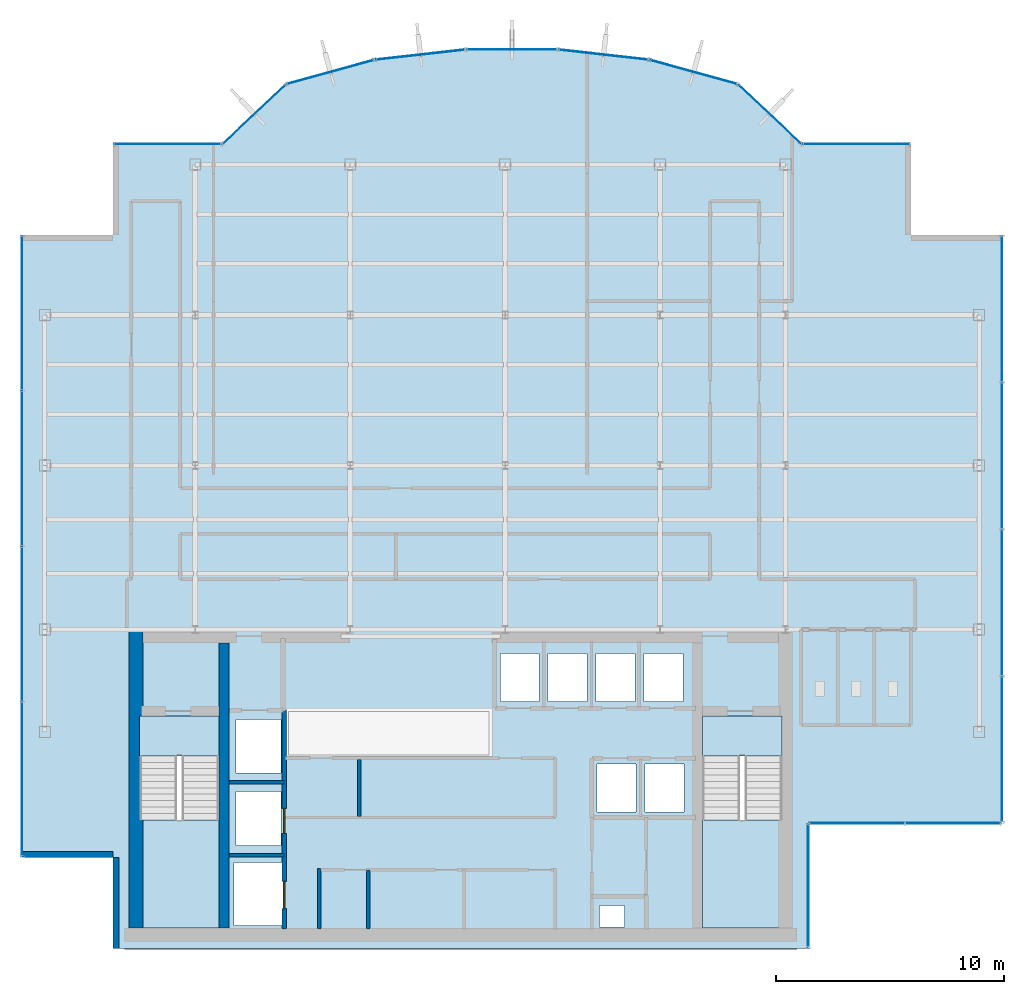
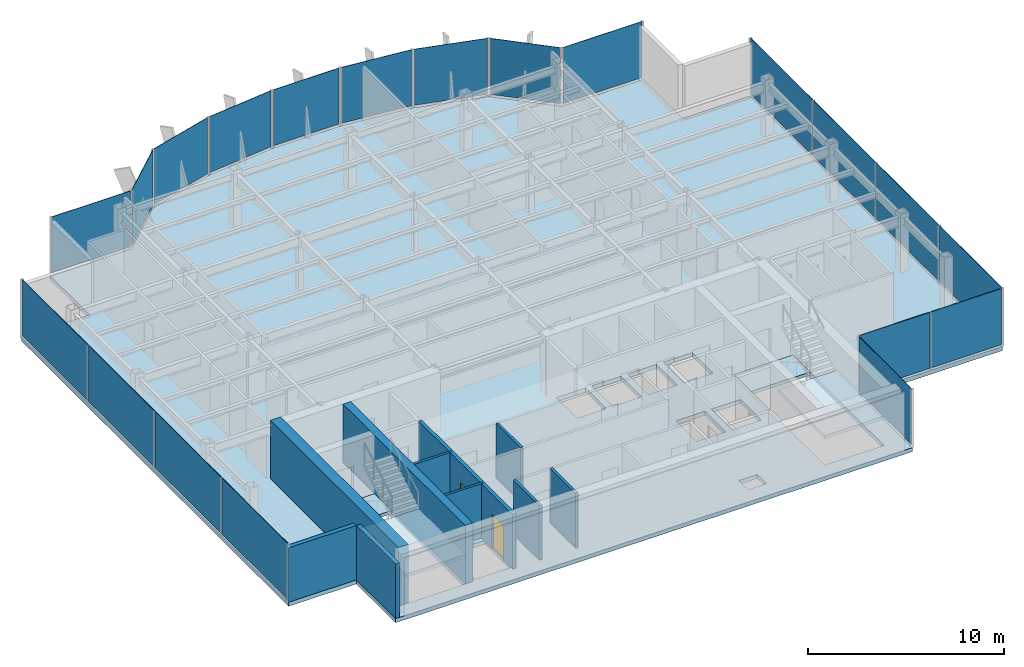
# One storey, part 16 of 22: 20 plates, 10 walls, 5 slabs, 2 doors, 2 openings, 15 elements without a shape of their own.
"""IFC4 building model written with IfcOpenShell, lengths in metres."""

from ifc_helpers import new_model, si_unit, derived_unit, direction, frame, frame_2d, origin, origin_2d, place, context, subcontext, project, spatial, polyline, rectangle, outline, extrude, source, transform, mapped, material, layer, layer_set, type_object, element, fill, aggregate, save


model = new_model("IFC4")

# Units and contexts
model_context = context("Model", 3, precision=1e-05, world=origin(), true_north=direction((0.0, 1.0)))
body_context = subcontext(model_context, "Body", "Model", "MODEL_VIEW")
ifc_project = project(units=[si_unit("LENGTHUNIT", "METRE"), si_unit("AREAUNIT", "SQUARE_METRE"), si_unit("VOLUMEUNIT", "CUBIC_METRE"), si_unit("PLANEANGLEUNIT", "RADIAN"), si_unit("MASSUNIT", "GRAM", prefix="KILO"), derived_unit("THERMALTRANSMITTANCEUNIT", [(si_unit("POWERUNIT", "WATT"), 1), (si_unit("LENGTHUNIT", "METRE"), -2), (si_unit("THERMODYNAMICTEMPERATUREUNIT", "KELVIN"), -1)])], contexts=[model_context])

# Site, building, storey
site_placement = place(None, origin())
site = spatial("IfcSite", under=ifc_project, at=site_placement, CompositionType="ELEMENT")
building_placement = place(site_placement, origin())
building = spatial("IfcBuilding", under=site, at=building_placement, Name="Skarnbrae Concourse Arena and Tower", CompositionType="ELEMENT")
storey_placement = place(building_placement, frame((0.0, 0.0, 240.550048828125)))
storey = spatial("IfcBuildingStorey", under=building, at=storey_placement, Name="L62", CompositionType="ELEMENT", Elevation=240.550048828125)

# Stair, slab
ifc_material_1 = material(Name="Concrete 40 MPa (C40/50)", Category="concrete")
stair_type = type_object("IfcStairType", Name="STAIR-DOGLEG-1650", PredefinedType="HALF_TURN_STAIR", material=ifc_material_1)
stair_1_placement = place(storey_placement, origin())
stair_1 = element("IfcStair", 1, at=stair_1_placement, inside=storey, type_object=stair_type, Name="L62 Protected Exit Stair ST-1", PredefinedType="HALF_TURN_STAIR")
ifc_layer_1 = layer(ifc_material_1, 0.199951171875)
ifc_layer_set_1 = layer_set([ifc_layer_1], Name="Concrete 40 MPa (C40/50)")
slab_type_1 = type_object("IfcSlabType", Name="SLAB-LANDING-200", PredefinedType="LANDING", material=ifc_layer_set_1)
slab_1_placement = place(storey_placement, frame((0.0, 0.0, 1.625)))
slab_1 = element("IfcSlab", 2, at=slab_1_placement, type_object=slab_type_1, Name="ST-1 landing 1", PredefinedType="LANDING", context=body_context, shape_type="SweptSolid", body=[
    extrude(outline(polyline([(5.14990234375, 5.64990234375), (5.14990234375, 0.89990234375), (8.64990234375, 0.89990234375), (8.64990234375, 5.64990234375), (5.14990234375, 5.64990234375)])), origin(), (0.0, 0.0, 1.0), 0.199951171875),
])
aggregate(stair_1, [slab_1])

stair_2_placement = place(storey_placement, origin())
stair_2 = element("IfcStair", 3, at=stair_2_placement, inside=storey, type_object=stair_type, Name="L62 Protected Exit Stair ST-2", PredefinedType="HALF_TURN_STAIR")
slab_2_placement = place(storey_placement, frame((0.0, 0.0, 1.625)))
slab_2 = element("IfcSlab", 4, at=slab_2_placement, type_object=slab_type_1, Name="ST-2 landing 1", PredefinedType="LANDING", context=body_context, shape_type="SweptSolid", body=[
    extrude(outline(polyline([(29.85009765625, 5.64990234375), (29.85009765625, 0.89990234375), (33.35009765625, 0.89990234375), (33.35009765625, 5.64990234375), (29.85009765625, 5.64990234375)])), origin(), (0.0, 0.0, 1.0), 0.199951171875),
])
aggregate(stair_2, [slab_2])

# Slabs
slab_3_placement = place(storey_placement, frame((0.0, 0.0, -0.199951171875)))
element("IfcSlab", 5, at=slab_3_placement, inside=storey, type_object=slab_type_1, Name="L62 Core stair ST1 floor landing", PredefinedType="LANDING", context=body_context, shape_type="SweptSolid", body=[
    extrude(outline(polyline([(5.14990234375, 10.199951171875), (5.14990234375, 8.449951171875), (8.64990234375, 8.449951171875), (8.64990234375, 10.199951171875), (5.14990234375, 10.199951171875)])), origin(), (0.0, 0.0, 1.0), 0.199951171875),
])
slab_4_placement = place(storey_placement, frame((0.0, 0.0, -0.199951171875)))
element("IfcSlab", 6, at=slab_4_placement, inside=storey, type_object=slab_type_1, Name="L62 Core stair ST2 floor landing", PredefinedType="LANDING", context=body_context, shape_type="SweptSolid", body=[
    extrude(outline(polyline([(29.85009765625, 10.199951171875), (29.85009765625, 8.449951171875), (33.35009765625, 8.449951171875), (33.35009765625, 10.199951171875), (29.85009765625, 10.199951171875)])), origin(), (0.0, 0.0, 1.0), 0.199951171875),
])
ifc_layer_2 = layer(ifc_material_1, 0.25)
ifc_layer_set_2 = layer_set([ifc_layer_2], Name="Concrete 40 MPa (C40/50)")
slab_type_2 = type_object("IfcSlabType", Name="SLAB-TOWER-250", PredefinedType="FLOOR", material=ifc_layer_set_2)
slab_5_placement = place(storey_placement, frame((0.0, 0.0, -0.25)))
element("IfcSlab", 7, at=slab_5_placement, inside=storey, type_object=slab_type_2, Name="L62 Structural floor slab", PredefinedType="FLOOR", context=body_context, shape_type="SweptSolid", body=[
    extrude(outline(polyline([(4.0, 0.0), (34.5, 0.0), (34.5, 5.5), (43.0, 5.5), (43.0, 31.300048828125), (39.0, 31.300048828125), (39.0, 35.300048828125), (34.199951171875, 35.300048828125), (31.40966796875, 37.9267578125), (27.52587890625, 38.9970703125), (23.51708984375, 39.44677734375), (19.48291015625, 39.44677734375), (15.47412109375, 38.9970703125), (11.59033203125, 37.9267578125), (8.800048828125, 35.300048828125), (4.0, 35.300048828125), (4.0, 31.300048828125), (0.0, 31.300048828125), (0.0, 4.0), (4.0, 4.0), (4.0, 0.0)]), holes=[polyline([(9.294921875, 1.02001953125), (9.294921875, 3.780029296875), (11.455078125, 3.780029296875), (11.455078125, 1.02001953125), (9.294921875, 1.02001953125)]), polyline([(8.64990234375, 10.199951171875), (8.64990234375, 0.89990234375), (5.14990234375, 0.89990234375), (5.14990234375, 10.199951171875), (8.64990234375, 10.199951171875)]), polyline([(9.39501953125, 6.8798828125), (11.35498046875, 6.8798828125), (11.35498046875, 4.52001953125), (9.39501953125, 4.52001953125), (9.39501953125, 6.8798828125)]), polyline([(9.39501953125, 7.695068359375), (9.39501953125, 10.054931640625), (11.35498046875, 10.054931640625), (11.35498046875, 7.695068359375), (9.39501953125, 7.695068359375)]), polyline([(20.985107421875, 12.955078125), (22.695068359375, 12.955078125), (22.695068359375, 10.844970703125), (20.985107421875, 10.844970703125), (20.985107421875, 12.955078125)]), polyline([(23.0849609375, 12.955078125), (24.794921875, 12.955078125), (24.794921875, 10.844970703125), (23.0849609375, 10.844970703125), (23.0849609375, 12.955078125)]), polyline([(25.35009765625, 0.949951171875), (25.35009765625, 1.889892578125), (26.43994140625, 1.889892578125), (26.43994140625, 0.949951171875), (25.35009765625, 0.949951171875)]), polyline([(33.35009765625, 10.199951171875), (33.35009765625, 0.89990234375), (29.85009765625, 0.89990234375), (29.85009765625, 10.199951171875), (33.35009765625, 10.199951171875)]), polyline([(25.235107421875, 8.10498046875), (26.945068359375, 8.10498046875), (26.945068359375, 5.9951171875), (25.235107421875, 5.9951171875), (25.235107421875, 8.10498046875)]), polyline([(27.3349609375, 5.9951171875), (27.3349609375, 8.10498046875), (29.044921875, 8.10498046875), (29.044921875, 5.9951171875), (27.3349609375, 5.9951171875)]), polyline([(25.18505859375, 12.955078125), (26.89501953125, 12.955078125), (26.89501953125, 10.844970703125), (25.18505859375, 10.844970703125), (25.18505859375, 12.955078125)]), polyline([(27.284912109375, 12.955078125), (28.9951171875, 12.955078125), (28.9951171875, 10.844970703125), (27.284912109375, 10.844970703125), (27.284912109375, 12.955078125)])]), origin(), (0.0, 0.0, 1.0), 0.25),
])

# Curtain wall, plate
ifc_material_2 = material(Name="Bronze anodised aluminium 6063-T6", Category="aluminium")
curtain_wall_type = type_object("IfcCurtainWallType", Name="CW-SYS-05-HIGHZONE", PredefinedType="USERDEFINED", material=ifc_material_2)
curtain_wall_1_placement = place(storey_placement, origin())
curtain_wall_1 = element("IfcCurtainWall", 8, at=curtain_wall_1_placement, inside=storey, type_object=curtain_wall_type, Name="L62 Unitised curtain wall CW-L62-E02", ObjectType="UNITISED CURTAIN WALL", PredefinedType="USERDEFINED")
ifc_material_3 = material(Name="Low-E triple insulating glass", Category="glass")
ifc_layer_3 = layer(ifc_material_3, 0.030029296875)
ifc_layer_set_3 = layer_set([ifc_layer_3], Name="Low-E triple insulating glass")
plate_type = type_object("IfcPlateType", Name="CWP-CW-05", PredefinedType="CURTAIN_PANEL", material=ifc_layer_set_3)
shared_shape_1 = source(origin(), body_context, "Body", "SweptSolid", [
    extrude(rectangle(XDim=5.35009765625, YDim=0.030029296875, at=origin_2d()), origin(), (0.0, 0.0, 1.0), 3.5),
])
plate_1_placement = place(storey_placement, frame((34.5, 2.75, 0.14990234375), z_axis=(0.0, 0.0, 1.0), x_axis=(0.0, 1.0, 0.0)))
plate_1 = element("IfcPlate", 9, at=plate_1_placement, type_object=plate_type, Name="CW-L62-E02 Low-E Glazing Panel 1", PredefinedType="CURTAIN_PANEL", context=body_context, shape_type="MappedRepresentation", body=[
    mapped(shared_shape_1, transform((0.0, 0.0, 0.0))),
])
aggregate(curtain_wall_1, [plate_1])

# Curtain wall, plates
curtain_wall_2_placement = place(storey_placement, origin())
curtain_wall_2 = element("IfcCurtainWall", 10, at=curtain_wall_2_placement, inside=storey, type_object=curtain_wall_type, Name="L62 Unitised curtain wall CW-L62-E03", ObjectType="UNITISED CURTAIN WALL", PredefinedType="USERDEFINED")
shared_shape_2 = source(origin(), body_context, "Body", "SweptSolid", [
    extrude(rectangle(XDim=4.137451171875, YDim=0.030029296875, at=origin_2d()), origin(), (0.0, 0.0, 1.0), 3.5),
])
plate_2_placement = place(storey_placement, frame((36.643798828125, 5.5, 0.14990234375), z_axis=(0.0, 0.0, 1.0), x_axis=(1.0, 0.0, 0.0)))
plate_2 = element("IfcPlate", 11, at=plate_2_placement, type_object=plate_type, Name="CW-L62-E03 Low-E Glazing Panel 1", PredefinedType="CURTAIN_PANEL", context=body_context, shape_type="MappedRepresentation", body=[
    mapped(shared_shape_2, transform((0.0, 0.0, 0.0))),
])
plate_3_placement = place(storey_placement, frame((40.856201171875, 5.5, 0.14990234375), z_axis=(0.0, 0.0, 1.0), x_axis=(1.0, 0.0, 0.0)))
plate_3 = element("IfcPlate", 12, at=plate_3_placement, type_object=plate_type, Name="CW-L62-E03 Low-E Glazing Panel 2", PredefinedType="CURTAIN_PANEL", context=body_context, shape_type="MappedRepresentation", body=[
    mapped(shared_shape_2, transform((0.0, 0.0, 0.0))),
])
aggregate(curtain_wall_2, [plate_2, plate_3])

# Curtain wall, plate
curtain_wall_3_placement = place(storey_placement, origin())
curtain_wall_3 = element("IfcCurtainWall", 13, at=curtain_wall_3_placement, inside=storey, type_object=curtain_wall_type, Name="L62 Unitised curtain wall CW-L62-E07", ObjectType="UNITISED CURTAIN WALL", PredefinedType="USERDEFINED")
shared_shape_3 = source(origin(), body_context, "Body", "SweptSolid", [
    extrude(rectangle(XDim=4.64990234375, YDim=0.030029296875, at=origin_2d()), origin(), (0.0, 0.0, 1.0), 3.5),
])
plate_4_placement = place(storey_placement, frame((36.60009765625, 35.300048828125, 0.14990234375), z_axis=(0.0, 0.0, 1.0), x_axis=(-1.0, 0.0, 0.0)))
plate_4 = element("IfcPlate", 14, at=plate_4_placement, type_object=plate_type, Name="CW-L62-E07 Low-E Glazing Panel 1", PredefinedType="CURTAIN_PANEL", context=body_context, shape_type="MappedRepresentation", body=[
    mapped(shared_shape_3, transform((0.0, 0.0, 0.0))),
])
aggregate(curtain_wall_3, [plate_4])

curtain_wall_4_placement = place(storey_placement, origin())
curtain_wall_4 = element("IfcCurtainWall", 15, at=curtain_wall_4_placement, inside=storey, type_object=curtain_wall_type, Name="L62 Unitised curtain wall CW-L62-E15", ObjectType="UNITISED CURTAIN WALL", PredefinedType="USERDEFINED")
plate_5_placement = place(storey_placement, frame((6.39990234375, 35.300048828125, 0.14990234375), z_axis=(0.0, 0.0, 1.0), x_axis=(-1.0, 0.0, 0.0)))
plate_5 = element("IfcPlate", 16, at=plate_5_placement, type_object=plate_type, Name="CW-L62-E15 Low-E Glazing Panel 1", PredefinedType="CURTAIN_PANEL", context=body_context, shape_type="MappedRepresentation", body=[
    mapped(shared_shape_3, transform((0.0, 0.0, 0.0))),
])
aggregate(curtain_wall_4, [plate_5])

curtain_wall_5_placement = place(storey_placement, origin())
curtain_wall_5 = element("IfcCurtainWall", 17, at=curtain_wall_5_placement, inside=storey, type_object=curtain_wall_type, Name="L62 Unitised curtain wall CW-L62-E08", ObjectType="UNITISED CURTAIN WALL", PredefinedType="USERDEFINED")
shared_shape_4 = source(origin(), body_context, "Body", "SweptSolid", [
    extrude(rectangle(XDim=3.68212890625, YDim=0.030029296875, at=origin_2d()), origin(), (0.0, 0.0, 1.0), 3.5),
])
plate_6_placement = place(storey_placement, frame((32.804931640625, 36.61328125, 0.14990234375), z_axis=(0.0, 0.0, 1.0), x_axis=(-0.728130555214, 0.685438468838, 0.0)))
plate_6 = element("IfcPlate", 18, at=plate_6_placement, type_object=plate_type, Name="CW-L62-E08 Low-E Glazing Panel 1", PredefinedType="CURTAIN_PANEL", context=body_context, shape_type="MappedRepresentation", body=[
    mapped(shared_shape_4, transform((0.0, 0.0, 0.0))),
])
aggregate(curtain_wall_5, [plate_6])

curtain_wall_6_placement = place(storey_placement, origin())
curtain_wall_6 = element("IfcCurtainWall", 19, at=curtain_wall_6_placement, inside=storey, type_object=curtain_wall_type, Name="L62 Unitised curtain wall CW-L62-E14", ObjectType="UNITISED CURTAIN WALL", PredefinedType="USERDEFINED")
plate_7_placement = place(storey_placement, frame((10.195068359375, 36.61328125, 0.14990234375), z_axis=(0.0, 0.0, 1.0), x_axis=(-0.728130555214, -0.685438468838, 0.0)))
plate_7 = element("IfcPlate", 20, at=plate_7_placement, type_object=plate_type, Name="CW-L62-E14 Low-E Glazing Panel 1", PredefinedType="CURTAIN_PANEL", context=body_context, shape_type="MappedRepresentation", body=[
    mapped(shared_shape_4, transform((0.0, 0.0, 0.0))),
])
aggregate(curtain_wall_6, [plate_7])

curtain_wall_7_placement = place(storey_placement, origin())
curtain_wall_7 = element("IfcCurtainWall", 21, at=curtain_wall_7_placement, inside=storey, type_object=curtain_wall_type, Name="L62 Unitised curtain wall CW-L62-E09", ObjectType="UNITISED CURTAIN WALL", PredefinedType="USERDEFINED")
shared_shape_5 = source(origin(), body_context, "Body", "SweptSolid", [
    extrude(rectangle(XDim=3.878662109375, YDim=0.030029296875, at=origin_2d()), origin(), (0.0, 0.0, 1.0), 3.5),
])
plate_8_placement = place(storey_placement, frame((29.4677734375, 38.4619140625, 0.14990234375), z_axis=(0.0, 0.0, 1.0), x_axis=(-0.964057388766, 0.265694093207, 0.0)))
plate_8 = element("IfcPlate", 22, at=plate_8_placement, type_object=plate_type, Name="CW-L62-E09 Low-E Glazing Panel 1", PredefinedType="CURTAIN_PANEL", context=body_context, shape_type="MappedRepresentation", body=[
    mapped(shared_shape_5, transform((0.0, 0.0, 0.0))),
])
aggregate(curtain_wall_7, [plate_8])

curtain_wall_8_placement = place(storey_placement, origin())
curtain_wall_8 = element("IfcCurtainWall", 23, at=curtain_wall_8_placement, inside=storey, type_object=curtain_wall_type, Name="L62 Unitised curtain wall CW-L62-E13", ObjectType="UNITISED CURTAIN WALL", PredefinedType="USERDEFINED")
plate_9_placement = place(storey_placement, frame((13.5322265625, 38.4619140625, 0.14990234375), z_axis=(0.0, 0.0, 1.0), x_axis=(-0.964057388766, -0.265694093207, 0.0)))
plate_9 = element("IfcPlate", 24, at=plate_9_placement, type_object=plate_type, Name="CW-L62-E13 Low-E Glazing Panel 1", PredefinedType="CURTAIN_PANEL", context=body_context, shape_type="MappedRepresentation", body=[
    mapped(shared_shape_5, transform((0.0, 0.0, 0.0))),
])
aggregate(curtain_wall_8, [plate_9])

curtain_wall_9_placement = place(storey_placement, origin())
curtain_wall_9 = element("IfcCurtainWall", 25, at=curtain_wall_9_placement, inside=storey, type_object=curtain_wall_type, Name="L62 Unitised curtain wall CW-L62-E10", ObjectType="UNITISED CURTAIN WALL", PredefinedType="USERDEFINED")
shared_shape_6 = source(origin(), body_context, "Body", "SweptSolid", [
    extrude(rectangle(XDim=3.8837890625, YDim=0.030029296875, at=origin_2d()), origin(), (0.0, 0.0, 1.0), 3.5),
])
plate_10_placement = place(storey_placement, frame((25.521484375, 39.221923828125, 0.14990234375), z_axis=(0.0, 0.0, 1.0), x_axis=(-0.993768891873, 0.111460259941, 0.0)))
plate_10 = element("IfcPlate", 26, at=plate_10_placement, type_object=plate_type, Name="CW-L62-E10 Low-E Glazing Panel 1", PredefinedType="CURTAIN_PANEL", context=body_context, shape_type="MappedRepresentation", body=[
    mapped(shared_shape_6, transform((0.0, 0.0, 0.0))),
])
aggregate(curtain_wall_9, [plate_10])

curtain_wall_10_placement = place(storey_placement, origin())
curtain_wall_10 = element("IfcCurtainWall", 27, at=curtain_wall_10_placement, inside=storey, type_object=curtain_wall_type, Name="L62 Unitised curtain wall CW-L62-E12", ObjectType="UNITISED CURTAIN WALL", PredefinedType="USERDEFINED")
plate_11_placement = place(storey_placement, frame((17.478515625, 39.221923828125, 0.14990234375), z_axis=(0.0, 0.0, 1.0), x_axis=(-0.993768891873, -0.111460259941, 0.0)))
plate_11 = element("IfcPlate", 28, at=plate_11_placement, type_object=plate_type, Name="CW-L62-E12 Low-E Glazing Panel 1", PredefinedType="CURTAIN_PANEL", context=body_context, shape_type="MappedRepresentation", body=[
    mapped(shared_shape_6, transform((0.0, 0.0, 0.0))),
])
aggregate(curtain_wall_10, [plate_11])

curtain_wall_11_placement = place(storey_placement, origin())
curtain_wall_11 = element("IfcCurtainWall", 29, at=curtain_wall_11_placement, inside=storey, type_object=curtain_wall_type, Name="L62 Unitised curtain wall CW-L62-E11", ObjectType="UNITISED CURTAIN WALL", PredefinedType="USERDEFINED")
shared_shape_7 = source(origin(), body_context, "Body", "SweptSolid", [
    extrude(rectangle(XDim=3.884521484375, YDim=0.030029296875, at=origin_2d()), origin(), (0.0, 0.0, 1.0), 3.5),
])
plate_12_placement = place(storey_placement, frame((21.5, 39.44677734375, 0.14990234375), z_axis=(0.0, 0.0, 1.0), x_axis=(-1.0, 0.0, 0.0)))
plate_12 = element("IfcPlate", 30, at=plate_12_placement, type_object=plate_type, Name="CW-L62-E11 Low-E Glazing Panel 1", PredefinedType="CURTAIN_PANEL", context=body_context, shape_type="MappedRepresentation", body=[
    mapped(shared_shape_7, transform((0.0, 0.0, 0.0))),
])
aggregate(curtain_wall_11, [plate_12])

# Curtain wall, plates
curtain_wall_12_placement = place(storey_placement, origin())
curtain_wall_12 = element("IfcCurtainWall", 31, at=curtain_wall_12_placement, inside=storey, type_object=curtain_wall_type, Name="L62 Unitised curtain wall CW-L62-E18", ObjectType="UNITISED CURTAIN WALL", PredefinedType="USERDEFINED")
shared_shape_8 = source(origin(), body_context, "Body", "SweptSolid", [
    extrude(rectangle(XDim=6.71240234375, YDim=0.030029296875, at=origin_2d()), origin(), (0.0, 0.0, 1.0), 3.5),
])
plate_13_placement = place(storey_placement, frame((0.0, 27.86865234375, 0.14990234375), z_axis=(0.0, 0.0, 1.0), x_axis=(0.0, -1.0, 0.0)))
plate_13 = element("IfcPlate", 32, at=plate_13_placement, type_object=plate_type, Name="CW-L62-E18 Low-E Glazing Panel 1", PredefinedType="CURTAIN_PANEL", context=body_context, shape_type="MappedRepresentation", body=[
    mapped(shared_shape_8, transform((0.0, 0.0, 0.0))),
])
plate_14_placement = place(storey_placement, frame((0.0, 7.431396484375, 0.14990234375), z_axis=(0.0, 0.0, 1.0), x_axis=(0.0, -1.0, 0.0)))
plate_14 = element("IfcPlate", 33, at=plate_14_placement, type_object=plate_type, Name="CW-L62-E18 Low-E Glazing Panel 4", PredefinedType="CURTAIN_PANEL", context=body_context, shape_type="MappedRepresentation", body=[
    mapped(shared_shape_8, transform((0.0, 0.0, 0.0))),
])
shared_shape_9 = source(origin(), body_context, "Body", "SweptSolid", [
    extrude(rectangle(XDim=6.75, YDim=0.030029296875, at=origin_2d()), origin(), (0.0, 0.0, 1.0), 3.5),
])
plate_15_placement = place(storey_placement, frame((0.0, 21.0625, 0.14990234375), z_axis=(0.0, 0.0, 1.0), x_axis=(0.0, -1.0, 0.0)))
plate_15 = element("IfcPlate", 34, at=plate_15_placement, type_object=plate_type, Name="CW-L62-E18 Low-E Glazing Panel 2", PredefinedType="CURTAIN_PANEL", context=body_context, shape_type="MappedRepresentation", body=[
    mapped(shared_shape_9, transform((0.0, 0.0, 0.0))),
])
plate_16_placement = place(storey_placement, frame((0.0, 14.237548828125, 0.14990234375), z_axis=(0.0, 0.0, 1.0), x_axis=(0.0, -1.0, 0.0)))
plate_16 = element("IfcPlate", 35, at=plate_16_placement, type_object=plate_type, Name="CW-L62-E18 Low-E Glazing Panel 3", PredefinedType="CURTAIN_PANEL", context=body_context, shape_type="MappedRepresentation", body=[
    mapped(shared_shape_9, transform((0.0, 0.0, 0.0))),
])
aggregate(curtain_wall_12, [plate_13, plate_15, plate_16, plate_14])

curtain_wall_13_placement = place(storey_placement, origin())
curtain_wall_13 = element("IfcCurtainWall", 36, at=curtain_wall_13_placement, inside=storey, type_object=curtain_wall_type, Name="L62 Unitised curtain wall CW-L62-E04", ObjectType="UNITISED CURTAIN WALL", PredefinedType="USERDEFINED")
shared_shape_10 = source(origin(), body_context, "Body", "SweptSolid", [
    extrude(rectangle(XDim=6.33740234375, YDim=0.030029296875, at=origin_2d()), origin(), (0.0, 0.0, 1.0), 3.5),
])
plate_17_placement = place(storey_placement, frame((43.0, 8.743896484375, 0.14990234375), z_axis=(0.0, 0.0, 1.0), x_axis=(0.0, 1.0, 0.0)))
plate_17 = element("IfcPlate", 37, at=plate_17_placement, type_object=plate_type, Name="CW-L62-E04 Low-E Glazing Panel 1", PredefinedType="CURTAIN_PANEL", context=body_context, shape_type="MappedRepresentation", body=[
    mapped(shared_shape_10, transform((0.0, 0.0, 0.0))),
])
plate_18_placement = place(storey_placement, frame((43.0, 28.05615234375, 0.14990234375), z_axis=(0.0, 0.0, 1.0), x_axis=(0.0, 1.0, 0.0)))
plate_18 = element("IfcPlate", 38, at=plate_18_placement, type_object=plate_type, Name="CW-L62-E04 Low-E Glazing Panel 4", PredefinedType="CURTAIN_PANEL", context=body_context, shape_type="MappedRepresentation", body=[
    mapped(shared_shape_10, transform((0.0, 0.0, 0.0))),
])
shared_shape_11 = source(origin(), body_context, "Body", "SweptSolid", [
    extrude(rectangle(XDim=6.375, YDim=0.030029296875, at=origin_2d()), origin(), (0.0, 0.0, 1.0), 3.5),
])
plate_19_placement = place(storey_placement, frame((43.0, 15.175048828125, 0.14990234375), z_axis=(0.0, 0.0, 1.0), x_axis=(0.0, 1.0, 0.0)))
plate_19 = element("IfcPlate", 39, at=plate_19_placement, type_object=plate_type, Name="CW-L62-E04 Low-E Glazing Panel 2", PredefinedType="CURTAIN_PANEL", context=body_context, shape_type="MappedRepresentation", body=[
    mapped(shared_shape_11, transform((0.0, 0.0, 0.0))),
])
plate_20_placement = place(storey_placement, frame((43.0, 21.625, 0.14990234375), z_axis=(0.0, 0.0, 1.0), x_axis=(0.0, 1.0, 0.0)))
plate_20 = element("IfcPlate", 40, at=plate_20_placement, type_object=plate_type, Name="CW-L62-E04 Low-E Glazing Panel 3", PredefinedType="CURTAIN_PANEL", context=body_context, shape_type="MappedRepresentation", body=[
    mapped(shared_shape_11, transform((0.0, 0.0, 0.0))),
])
aggregate(curtain_wall_13, [plate_17, plate_19, plate_20, plate_18])

# Walls
ifc_material_4 = material(Name="Concrete 50 MPa (C50/60)", Category="concrete")
ifc_layer_4 = layer(ifc_material_4, 0.60009765625)
ifc_layer_set_4 = layer_set([ifc_layer_4], Name="Concrete 50 MPa (C50/60)")
wall_type_1 = type_object("IfcWallType", Name="WALL-CORE-600-C50", PredefinedType="SHEAR", material=ifc_layer_set_4)
shared_shape_12 = source(origin(), body_context, "Body", "SweptSolid", [
    extrude(rectangle(XDim=13.10009765625, YDim=0.60009765625, at=frame_2d((6.550048828125, 0.0))), origin(), (0.0, 0.0, 1.0), 3.64990234375),
])
wall_1_placement = place(storey_placement, frame((5.0, 0.89990234375, 0.0), z_axis=(0.0, 0.0, 1.0), x_axis=(0.0, 1.0, 0.0)))
element("IfcWall", 41, at=wall_1_placement, inside=storey, type_object=wall_type_1, Name="L62 Rear core shear wall CW-W", PredefinedType="SHEAR", context=body_context, shape_type="MappedRepresentation", body=[
    mapped(shared_shape_12, transform((0.0, 0.0, 0.0))),
])
ifc_layer_5 = layer(ifc_material_4, 0.449951171875)
ifc_layer_set_5 = layer_set([ifc_layer_5], Name="Concrete 50 MPa (C50/60)")
wall_type_2 = type_object("IfcWallType", Name="WALL-CORE-450-C50", PredefinedType="SHEAR", material=ifc_layer_set_5)
shared_shape_13 = source(origin(), body_context, "Body", "SweptSolid", [
    extrude(rectangle(XDim=12.5, YDim=0.449951171875, at=frame_2d((6.25, 0.0))), origin(), (0.0, 0.0, 1.0), 3.64990234375),
])
wall_2_placement = place(storey_placement, frame((8.864990234375, 0.89990234375, 0.0), z_axis=(0.0, 0.0, 1.0), x_axis=(0.0, 1.0, 0.0)))
element("IfcWall", 42, at=wall_2_placement, inside=storey, type_object=wall_type_2, Name="L62 Rear core shear wall CW-WEB-W", PredefinedType="SHEAR", context=body_context, shape_type="MappedRepresentation", body=[
    mapped(shared_shape_13, transform((0.0, 0.0, 0.0))),
])
ifc_material_5 = material(Name="Precast concrete 40 MPa (C40/50)", Category="concrete")
ifc_layer_6 = layer(ifc_material_5, 0.25)
ifc_layer_set_6 = layer_set([ifc_layer_6], Name="Precast concrete 40 MPa (C40/50)")
wall_type_3 = type_object("IfcWallType", Name="WALL-EXT-SPANDREL-250", PredefinedType="STANDARD", material=ifc_layer_set_6)
shared_shape_14 = source(origin(), body_context, "Body", "SweptSolid", [
    extrude(rectangle(XDim=4.0, YDim=0.25, at=frame_2d((2.0, 0.0))), origin(), (0.0, 0.0, 1.0), 3.39990234375),
])
for number, where, z_axis, x_axis, name in (
    (43, (0.0, 4.125, 0.0), (0.0, 0.0, 1.0), (1.0, 0.0, 0.0), "L62 Notched corner insulated return wall 19"),
    (44, (4.125, 4.0, 0.0), (0.0, 0.0, 1.0), (0.0, -1.0, 0.0), "L62 Notched corner insulated return wall 20"),
):
    element("IfcWall", number, at=place(storey_placement, frame(where, z_axis=z_axis, x_axis=x_axis)), inside=storey, type_object=wall_type_3, Name=name, PredefinedType="STANDARD", context=body_context, shape_type="MappedRepresentation", body=[
        mapped(shared_shape_14, transform((0.0, 0.0, 0.0))),
    ])

# Wall, openings, doors
ifc_material_6 = material(Name="Gypsum board on cold-formed steel studs", Category="steel")
ifc_layer_7 = layer(ifc_material_6, 0.199951171875)
ifc_layer_set_7 = layer_set([ifc_layer_7], Name="Gypsum board on cold-formed steel studs")
wall_type_4 = type_object("IfcWallType", Name="WALL-PART-200-2HR", PredefinedType="PARTITIONING", material=ifc_layer_set_7)
shared_shape_15 = source(origin(), body_context, "Body", "SweptSolid", [
    extrude(rectangle(XDim=9.599853515625, YDim=0.199951171875, at=frame_2d((4.7998046875, 0.0))), origin(), (0.0, 0.0, 1.0), 3.39990234375),
])
wall_3_placement = place(storey_placement, frame((11.5, 0.85009765625, 0.0), z_axis=(0.0, 0.0, 1.0), x_axis=(0.0, 1.0, 0.0)))
wall_3 = element("IfcWall", 45, at=wall_3_placement, inside=storey, type_object=wall_type_4, Name="L62 Interior partition wall W-L62-FL-E", PredefinedType="PARTITIONING", context=body_context, shape_type="MappedRepresentation", body=[
    mapped(shared_shape_15, transform((0.0, 0.0, 0.0))),
])
opening_1_placement = place(wall_3_placement, frame((4.199951171875, 0.0, 0.0)))
opening_1 = element("IfcOpeningElement", 46, at=opening_1_placement, cuts=wall_3, Name="Opening LD-01", PredefinedType="OPENING", context=body_context, shape_type="SweptSolid", body=[
    extrude(rectangle(XDim=1.10009765625, YDim=2.14990234375, at=frame_2d((0.550048828125, 1.074951171875))), frame((0.0, 0.10986328125, 0.0), z_axis=(0.0, -1.0, 0.0), x_axis=(1.0, 0.0, 0.0)), (0.0, 0.0, 1.0), 0.219970703125),
])
opening_2_placement = place(wall_3_placement, frame((0.89990234375, 0.0, 0.0)))
opening_2 = element("IfcOpeningElement", 47, at=opening_2_placement, cuts=wall_3, Name="Opening LD-02", PredefinedType="OPENING", context=body_context, shape_type="SweptSolid", body=[
    extrude(rectangle(XDim=1.199951171875, YDim=2.14990234375, at=frame_2d((0.60009765625, 1.074951171875))), frame((0.0, 0.10986328125, 0.0), z_axis=(0.0, -1.0, 0.0), x_axis=(1.0, 0.0, 0.0)), (0.0, 0.0, 1.0), 0.219970703125),
])
ifc_material_7 = material(Name="Steel CSA G40.21 350W", Category="steel")
door_type_1 = type_object("IfcDoorType", Name="DOOR-LIFT-SLIDE-1100", OperationType="SLIDING_TO_LEFT", PredefinedType="DOOR", material=ifc_material_7)
shared_shape_16 = source(origin(), body_context, "Body", "SweptSolid", [
    extrude(rectangle(XDim=1.10009765625, YDim=2.14990234375, at=frame_2d((0.550048828125, 1.074951171875))), frame((0.0, 0.02490234375, 0.0), z_axis=(0.0, -1.0, 0.0), x_axis=(1.0, 0.0, 0.0)), (0.0, 0.0, 1.0), 0.050048828125),
])
door_1_placement = place(opening_1_placement, frame((1.10009765625, 0.0, 0.0), z_axis=(0.0, 0.0, 1.0), x_axis=(-1.0, 0.0, 0.0)))
door_1 = element("IfcDoor", 48, at=door_1_placement, inside=storey, type_object=door_type_1, Name="D-1868 Firefighting Lift Landing Door FL-02", OperationType="SLIDING_TO_LEFT", OverallHeight=2.14990234375, OverallWidth=1.10009765625, PredefinedType="DOOR", context=body_context, shape_type="MappedRepresentation", body=[
    mapped(shared_shape_16, transform((0.0, 0.0, 0.0))),
])
fill(opening_1, door_1)
door_type_2 = type_object("IfcDoorType", Name="DOOR-LIFT-SLIDE-1200", OperationType="SLIDING_TO_LEFT", PredefinedType="DOOR", material=ifc_material_7)
shared_shape_17 = source(origin(), body_context, "Body", "SweptSolid", [
    extrude(rectangle(XDim=1.199951171875, YDim=2.14990234375, at=frame_2d((0.60009765625, 1.074951171875))), frame((0.0, 0.02490234375, 0.0), z_axis=(0.0, -1.0, 0.0), x_axis=(1.0, 0.0, 0.0)), (0.0, 0.0, 1.0), 0.050048828125),
])
door_2_placement = place(opening_2_placement, frame((1.199951171875, 0.0, 0.0), z_axis=(0.0, 0.0, 1.0), x_axis=(-1.0, 0.0, 0.0)))
door_2 = element("IfcDoor", 49, at=door_2_placement, inside=storey, type_object=door_type_2, Name="D-1869 Service Lift Landing Door SV-01", OperationType="SLIDING_TO_LEFT", OverallHeight=2.14990234375, OverallWidth=1.199951171875, PredefinedType="DOOR", context=body_context, shape_type="MappedRepresentation", body=[
    mapped(shared_shape_17, transform((0.0, 0.0, 0.0))),
])
fill(opening_2, door_2)

# Walls
ifc_layer_8 = layer(ifc_material_6, 0.14990234375)
ifc_layer_set_8 = layer_set([ifc_layer_8], Name="Gypsum board on cold-formed steel studs")
wall_type_5 = type_object("IfcWallType", Name="WALL-PART-150", PredefinedType="PARTITIONING", material=ifc_layer_set_8)
shared_shape_18 = source(origin(), body_context, "Body", "SweptSolid", [
    extrude(rectangle(XDim=2.39990234375, YDim=0.14990234375, at=frame_2d((1.199951171875, 0.0))), origin(), (0.0, 0.0, 1.0), 3.39990234375),
])
for number, where, z_axis, x_axis, name in (
    (50, (9.10009765625, 4.10009765625, 0.0), (0.0, 0.0, 1.0), (1.0, 0.0, 0.0), "L62 Interior partition wall W-L62-FL-D1"),
    (51, (9.10009765625, 7.300048828125, 0.0), (0.0, 0.0, 1.0), (1.0, 0.0, 0.0), "L62 Interior partition wall W-L62-FL-D2"),
):
    element("IfcWall", number, at=place(storey_placement, frame(where, z_axis=z_axis, x_axis=x_axis)), inside=storey, type_object=wall_type_5, Name=name, PredefinedType="PARTITIONING", context=body_context, shape_type="MappedRepresentation", body=[
        mapped(shared_shape_18, transform((0.0, 0.0, 0.0))),
    ])
shared_shape_19 = source(origin(), body_context, "Body", "SweptSolid", [
    extrude(rectangle(XDim=2.599853515625, YDim=0.14990234375, at=frame_2d((1.2998046875, 0.0))), origin(), (0.0, 0.0, 1.0), 3.39990234375),
])
wall_4_placement = place(storey_placement, frame((15.199951171875, 0.85009765625, 0.0), z_axis=(0.0, 0.0, 1.0), x_axis=(0.0, 1.0, 0.0)))
element("IfcWall", 52, at=wall_4_placement, inside=storey, type_object=wall_type_5, Name="L62 Interior partition wall W-L62-B1M-C1", PredefinedType="PARTITIONING", context=body_context, shape_type="MappedRepresentation", body=[
    mapped(shared_shape_19, transform((0.0, 0.0, 0.0))),
])
shared_shape_20 = source(origin(), body_context, "Body", "SweptSolid", [
    extrude(rectangle(XDim=2.5, YDim=0.14990234375, at=frame_2d((1.25, 0.0))), origin(), (0.0, 0.0, 1.0), 3.39990234375),
])
wall_5_placement = place(storey_placement, frame((14.800048828125, 5.800048828125, 0.0), z_axis=(0.0, 0.0, 1.0), x_axis=(0.0, 1.0, 0.0)))
element("IfcWall", 53, at=wall_5_placement, inside=storey, type_object=wall_type_5, Name="L62 Interior partition wall W-L62-B2M-MID", PredefinedType="PARTITIONING", context=body_context, shape_type="MappedRepresentation", body=[
    mapped(shared_shape_20, transform((0.0, 0.0, 0.0))),
])
ifc_layer_9 = layer(ifc_material_6, 0.14990234375)
ifc_layer_set_9 = layer_set([ifc_layer_9], Name="Gypsum board on cold-formed steel studs")
wall_type_6 = type_object("IfcWallType", Name="WALL-PART-150-1HR", PredefinedType="PARTITIONING", material=ifc_layer_set_9)
shared_shape_21 = source(origin(), body_context, "Body", "SweptSolid", [
    extrude(rectangle(XDim=2.64990234375, YDim=0.14990234375, at=frame_2d((1.324951171875, 0.0))), origin(), (0.0, 0.0, 1.0), 3.39990234375),
])
wall_6_placement = place(storey_placement, frame((13.050048828125, 0.85009765625, 0.0), z_axis=(0.0, 0.0, 1.0), x_axis=(0.0, 1.0, 0.0)))
element("IfcWall", 54, at=wall_6_placement, inside=storey, type_object=wall_type_6, Name="L62 Interior partition wall W-L62-B1M-W", PredefinedType="PARTITIONING", context=body_context, shape_type="MappedRepresentation", body=[
    mapped(shared_shape_21, transform((0.0, 0.0, 0.0))),
])

save(model, "model.ifc")
